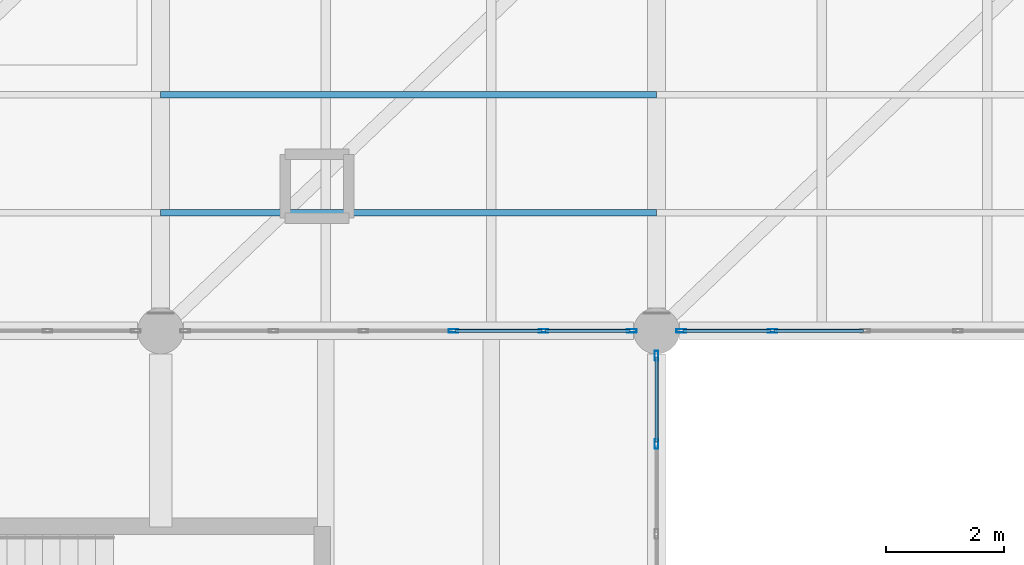
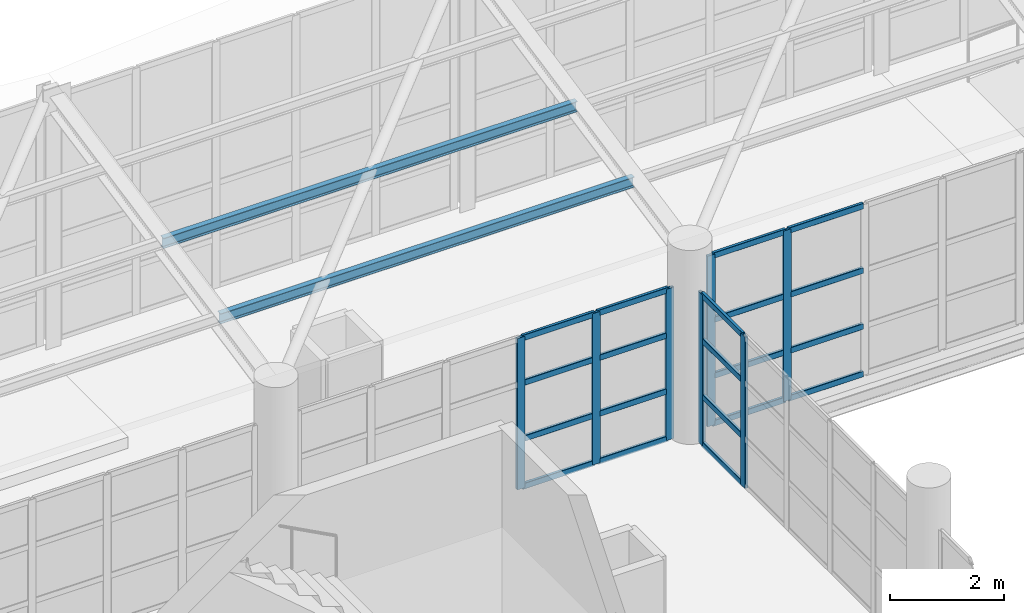
# One storey, part 99 of 177: 29 members, 3 elements without a shape of their own.
"""IFC4 building model written with IfcOpenShell, lengths in metres."""

from ifc_helpers import new_model, si_unit, direction, frame, origin, origin_2d, place, context, subcontext, project, spatial, hollow_rectangle, i_section, extrude, material, layer, layer_set, material_profile, profile_set, type_object, element, aggregate, save


model = new_model("IFC4")

# Units and contexts
model_context = context("Model", 3, precision=1e-05, world=origin(), true_north=direction((0.0, 1.0)))
body_context = subcontext(model_context, "Body", "Model", "MODEL_VIEW")
ifc_project = project(units=[si_unit("LENGTHUNIT", "METRE"), si_unit("AREAUNIT", "SQUARE_METRE"), si_unit("VOLUMEUNIT", "CUBIC_METRE"), si_unit("PLANEANGLEUNIT", "RADIAN"), si_unit("MASSUNIT", "GRAM", prefix="KILO"), si_unit("THERMODYNAMICTEMPERATUREUNIT", "KELVIN"), si_unit("POWERUNIT", "WATT")], contexts=[model_context])

# Site, building, storey
site_placement = place(None, origin())
site = spatial("IfcSite", under=ifc_project, at=site_placement, CompositionType="ELEMENT")
building_placement = place(site_placement, origin())
building = spatial("IfcBuilding", under=site, at=building_placement, Name="Mavoryth Pier Ferry Terminal", CompositionType="ELEMENT")
storey_placement = place(building_placement, frame((0.0, 0.0, 5.43994140625)))
storey = spatial("IfcBuildingStorey", under=building, at=storey_placement, Name="L01", CompositionType="ELEMENT", Elevation=5.43994140625)

# Curtain wall, members
ifc_material_1 = material(Name="Anodised Aluminium and Solar-Control Low-E Glass", Category="aluminium")
ifc_layer_1 = layer(ifc_material_1, 0.159912109375, Name="Anodised Aluminium and Solar-Control Low-E Glass", Category="aluminium")
ifc_layer_set_1 = layer_set([ifc_layer_1], Name="Anodised Aluminium and Solar-Control Low-E Glass - CW-Arrivals-Mod1400")
curtain_wall_type_1 = type_object("IfcCurtainWallType", Name="CW-Arrivals-Mod1400", PredefinedType="USERDEFINED", material=ifc_layer_set_1)
curtain_wall_1_placement = place(storey_placement, origin())
curtain_wall_1 = element("IfcCurtainWall", 1, at=curtain_wall_1_placement, inside=storey, type_object=curtain_wall_type_1, Name="Curtain Wall CW-0122-061", ObjectType="UNITISED CURTAIN WALL", PredefinedType="USERDEFINED")
ifc_material_2 = material(Name="Anodised Aluminium EN AW-6063", Category="aluminium")
ifc_material_profile_1 = material_profile(ifc_material_2, hollow_rectangle(XDim=0.06005859375, YDim=0.1650390625, WallThickness=0.00390625, InnerFilletRadius=0.00390625, OuterFilletRadius=0.008056640625, at=origin_2d()), Name="AL-MULL 165x60x4", Category="aluminium")
ifc_profile_set_1 = profile_set([ifc_material_profile_1], Name="Anodised Aluminium EN AW-6063 - AL-MULL 165x60x4")
member_type_1 = type_object("IfcMemberType", Name="Mullion-Alum-165x60", PredefinedType="MULLION", material=ifc_profile_set_1)
member_1_placement = place(storey_placement, frame((91.97998046875, 106.0, 0.0), z_axis=(0.0, 0.0, 1.0), x_axis=(0.0, -1.0, 0.0)))
member_1 = element("IfcMember", 2, at=member_1_placement, type_object=member_type_1, Name="CW04 mullion 1", PredefinedType="MULLION", context=body_context, shape_type="SweptSolid", body=[
    extrude(hollow_rectangle(XDim=0.06005859375, YDim=0.1650390625, WallThickness=0.00390625, InnerFilletRadius=0.00390625, OuterFilletRadius=0.008056640625, at=origin_2d()), origin(), (0.0, 0.0, 1.0), 3.2451171875),
])
member_2_placement = place(storey_placement, frame((90.486083984375, 106.0, 0.0), z_axis=(0.0, 0.0, 1.0), x_axis=(0.0, -1.0, 0.0)))
member_2 = element("IfcMember", 3, at=member_2_placement, type_object=member_type_1, Name="CW04 mullion 2", PredefinedType="MULLION", context=body_context, shape_type="SweptSolid", body=[
    extrude(hollow_rectangle(XDim=0.06005859375, YDim=0.1650390625, WallThickness=0.00390625, InnerFilletRadius=0.00390625, OuterFilletRadius=0.008056640625, at=origin_2d()), origin(), (0.0, 0.0, 1.0), 3.2451171875),
])
member_3_placement = place(storey_placement, frame((88.9619140625, 106.0, 0.0), z_axis=(0.0, 0.0, 1.0), x_axis=(0.0, -1.0, 0.0)))
member_3 = element("IfcMember", 4, at=member_3_placement, type_object=member_type_1, Name="CW04 mullion 3", PredefinedType="MULLION", context=body_context, shape_type="SweptSolid", body=[
    extrude(hollow_rectangle(XDim=0.06005859375, YDim=0.1650390625, WallThickness=0.00390625, InnerFilletRadius=0.00390625, OuterFilletRadius=0.008056640625, at=origin_2d()), origin(), (0.0, 0.0, 1.0), 3.2451171875),
])

curtain_wall_2_placement = place(storey_placement, origin())
curtain_wall_2 = element("IfcCurtainWall", 5, at=curtain_wall_2_placement, inside=storey, type_object=curtain_wall_type_1, Name="Curtain Wall CW-0122-070", ObjectType="UNITISED CURTAIN WALL", PredefinedType="USERDEFINED")
member_4_placement = place(storey_placement, frame((92.39990234375, 104.0859375, 0.0), z_axis=(0.0, 0.0, 1.0), x_axis=(-1.0, 0.0, 0.0)))
member_4 = element("IfcMember", 6, at=member_4_placement, type_object=member_type_1, Name="CW04 mullion 5", PredefinedType="MULLION", context=body_context, shape_type="SweptSolid", body=[
    extrude(hollow_rectangle(XDim=0.06005859375, YDim=0.1650390625, WallThickness=0.00390625, InnerFilletRadius=0.00390625, OuterFilletRadius=0.008056640625, at=origin_2d()), origin(), (0.0, 0.0, 1.0), 3.2451171875),
])
member_5_placement = place(storey_placement, frame((92.39990234375, 105.580078125, 0.0), z_axis=(0.0, 0.0, 1.0), x_axis=(-1.0, 0.0, 0.0)))
member_5 = element("IfcMember", 7, at=member_5_placement, type_object=member_type_1, Name="CW04 mullion 6", PredefinedType="MULLION", context=body_context, shape_type="SweptSolid", body=[
    extrude(hollow_rectangle(XDim=0.06005859375, YDim=0.1650390625, WallThickness=0.00390625, InnerFilletRadius=0.00390625, OuterFilletRadius=0.008056640625, at=origin_2d()), origin(), (0.0, 0.0, 1.0), 3.2451171875),
])

ifc_layer_2 = layer(ifc_material_1, 0.139892578125, Name="Anodised Aluminium and Solar-Control Low-E Glass", Category="aluminium")
ifc_layer_set_2 = layer_set([ifc_layer_2], Name="Anodised Aluminium and Solar-Control Low-E Glass - CW-Gallery-Mod1600")
curtain_wall_type_2 = type_object("IfcCurtainWallType", Name="CW-Gallery-Mod1600", PredefinedType="USERDEFINED", material=ifc_layer_set_2)
curtain_wall_3_placement = place(storey_placement, origin())
curtain_wall_3 = element("IfcCurtainWall", 8, at=curtain_wall_3_placement, inside=storey, type_object=curtain_wall_type_2, Name="Curtain Wall CW-0122-083", ObjectType="UNITISED CURTAIN WALL", PredefinedType="USERDEFINED")
member_6_placement = place(storey_placement, frame((92.820068359375, 106.0, 0.0), z_axis=(0.0, 0.0, 1.0), x_axis=(0.0, 1.0, 0.0)))
member_6 = element("IfcMember", 9, at=member_6_placement, type_object=member_type_1, Name="CW05 mullion 1", PredefinedType="MULLION", context=body_context, shape_type="SweptSolid", body=[
    extrude(hollow_rectangle(XDim=0.06005859375, YDim=0.1650390625, WallThickness=0.00390625, InnerFilletRadius=0.00390625, OuterFilletRadius=0.008056640625, at=origin_2d()), origin(), (0.0, 0.0, 1.0), 3.66015625),
])
member_7_placement = place(storey_placement, frame((94.362060546875, 106.0, 0.0), z_axis=(0.0, 0.0, 1.0), x_axis=(0.0, 1.0, 0.0)))
member_7 = element("IfcMember", 10, at=member_7_placement, type_object=member_type_1, Name="CW05 mullion 2", PredefinedType="MULLION", context=body_context, shape_type="SweptSolid", body=[
    extrude(hollow_rectangle(XDim=0.06005859375, YDim=0.1650390625, WallThickness=0.00390625, InnerFilletRadius=0.00390625, OuterFilletRadius=0.008056640625, at=origin_2d()), origin(), (0.0, 0.0, 1.0), 3.66015625),
])

# Members
ifc_material_3 = material(Name="Steel S355J2", Category="steel")
ifc_material_profile_2 = material_profile(ifc_material_3, i_section(OverallWidth=0.110107421875, OverallDepth=0.219970703125, WebThickness=0.005859375, FlangeThickness=0.00927734375, FilletRadius=0.011962890625, at=origin_2d()), Name="IPE 220", Category="steel")
ifc_profile_set_2 = profile_set([ifc_material_profile_2], Name="Steel S355J2 - IPE 220")
member_type_2 = type_object("IfcMemberType", Name="Purlin-Roof-IPE220", PredefinedType="PURLIN", material=ifc_profile_set_2)
for number, where, z_axis, x_axis, name in (
    (11, (84.0, 108.0, 4.17822265625), (1.0, 0.0, 0.0), (0.0, 1.0, 0.0), "Steel Member MB-L01-0266"),
    (12, (84.0, 110.0, 4.5849609375), (1.0, 0.0, 0.0), (0.0, 1.0, 0.0), "Steel Member MB-L01-0267"),
):
    element("IfcMember", number, at=place(storey_placement, frame(where, z_axis=z_axis, x_axis=x_axis)), inside=storey, type_object=member_type_2, Name=name, PredefinedType="PURLIN", context=body_context, shape_type="SweptSolid", body=[
        extrude(i_section(OverallWidth=0.110107421875, OverallDepth=0.219970703125, WebThickness=0.005859375, FlangeThickness=0.00927734375, FilletRadius=0.011962890625, at=origin_2d()), origin(), (0.0, 0.0, 1.0), 8.39990234375),
    ])

# Member
ifc_material_profile_3 = material_profile(ifc_material_2, hollow_rectangle(XDim=0.06005859375, YDim=0.125, WallThickness=0.00390625, InnerFilletRadius=0.00390625, OuterFilletRadius=0.008056640625, at=origin_2d()), Name="AL-TRAN 125x60x4", Category="aluminium")
ifc_profile_set_3 = profile_set([ifc_material_profile_3], Name="Anodised Aluminium EN AW-6063 - AL-TRAN 125x60x4")
member_type_3 = type_object("IfcMemberType", Name="Transom-Alum-125x60", PredefinedType="USERDEFINED", material=ifc_profile_set_3)
member_8_placement = place(storey_placement, frame((91.949951171875, 106.0, 0.030029296875), z_axis=(-1.0, 0.0, 0.0), x_axis=(0.0, -1.0, 0.0)))
member_8 = element("IfcMember", 13, at=member_8_placement, type_object=member_type_3, Name="CW04 transom 1.1", ObjectType="TRANSOM", PredefinedType="USERDEFINED", context=body_context, shape_type="SweptSolid", body=[
    extrude(hollow_rectangle(XDim=0.06005859375, YDim=0.125, WallThickness=0.00390625, InnerFilletRadius=0.00390625, OuterFilletRadius=0.008056640625, at=origin_2d()), origin(), (0.0, 0.0, 1.0), 1.433837890625),
])

member_9_placement = place(storey_placement, frame((91.949951171875, 106.0, 1.050048828125), z_axis=(-1.0, 0.0, 0.0), x_axis=(0.0, -1.0, 0.0)))
member_9 = element("IfcMember", 14, at=member_9_placement, type_object=member_type_3, Name="CW04 transom 1.2", ObjectType="TRANSOM", PredefinedType="USERDEFINED", context=body_context, shape_type="SweptSolid", body=[
    extrude(hollow_rectangle(XDim=0.06005859375, YDim=0.125, WallThickness=0.00390625, InnerFilletRadius=0.00390625, OuterFilletRadius=0.008056640625, at=origin_2d()), origin(), (0.0, 0.0, 1.0), 1.433837890625),
])

member_10_placement = place(storey_placement, frame((91.949951171875, 106.0, 2.25), z_axis=(-1.0, 0.0, 0.0), x_axis=(0.0, -1.0, 0.0)))
member_10 = element("IfcMember", 15, at=member_10_placement, type_object=member_type_3, Name="CW04 transom 1.3", ObjectType="TRANSOM", PredefinedType="USERDEFINED", context=body_context, shape_type="SweptSolid", body=[
    extrude(hollow_rectangle(XDim=0.06005859375, YDim=0.125, WallThickness=0.00390625, InnerFilletRadius=0.00390625, OuterFilletRadius=0.008056640625, at=origin_2d()), origin(), (0.0, 0.0, 1.0), 1.433837890625),
])

member_11_placement = place(storey_placement, frame((91.949951171875, 106.0, 3.215087890625), z_axis=(-1.0, 0.0, 0.0), x_axis=(0.0, -1.0, 0.0)))
member_11 = element("IfcMember", 16, at=member_11_placement, type_object=member_type_3, Name="CW04 transom 1.4", ObjectType="TRANSOM", PredefinedType="USERDEFINED", context=body_context, shape_type="SweptSolid", body=[
    extrude(hollow_rectangle(XDim=0.06005859375, YDim=0.125, WallThickness=0.00390625, InnerFilletRadius=0.00390625, OuterFilletRadius=0.008056640625, at=origin_2d()), origin(), (0.0, 0.0, 1.0), 1.433837890625),
])

member_12_placement = place(storey_placement, frame((90.4560546875, 106.0, 0.030029296875), z_axis=(-1.0, 0.0, 0.0), x_axis=(0.0, -1.0, 0.0)))
member_12 = element("IfcMember", 17, at=member_12_placement, type_object=member_type_3, Name="CW04 transom 2.1", ObjectType="TRANSOM", PredefinedType="USERDEFINED", context=body_context, shape_type="SweptSolid", body=[
    extrude(hollow_rectangle(XDim=0.06005859375, YDim=0.125, WallThickness=0.00390625, InnerFilletRadius=0.00390625, OuterFilletRadius=0.008056640625, at=origin_2d()), origin(), (0.0, 0.0, 1.0), 1.464111328125),
])

member_13_placement = place(storey_placement, frame((90.4560546875, 106.0, 1.050048828125), z_axis=(-1.0, 0.0, 0.0), x_axis=(0.0, -1.0, 0.0)))
member_13 = element("IfcMember", 18, at=member_13_placement, type_object=member_type_3, Name="CW04 transom 2.2", ObjectType="TRANSOM", PredefinedType="USERDEFINED", context=body_context, shape_type="SweptSolid", body=[
    extrude(hollow_rectangle(XDim=0.06005859375, YDim=0.125, WallThickness=0.00390625, InnerFilletRadius=0.00390625, OuterFilletRadius=0.008056640625, at=origin_2d()), origin(), (0.0, 0.0, 1.0), 1.464111328125),
])

member_14_placement = place(storey_placement, frame((90.4560546875, 106.0, 2.25), z_axis=(-1.0, 0.0, 0.0), x_axis=(0.0, -1.0, 0.0)))
member_14 = element("IfcMember", 19, at=member_14_placement, type_object=member_type_3, Name="CW04 transom 2.3", ObjectType="TRANSOM", PredefinedType="USERDEFINED", context=body_context, shape_type="SweptSolid", body=[
    extrude(hollow_rectangle(XDim=0.06005859375, YDim=0.125, WallThickness=0.00390625, InnerFilletRadius=0.00390625, OuterFilletRadius=0.008056640625, at=origin_2d()), origin(), (0.0, 0.0, 1.0), 1.464111328125),
])

member_15_placement = place(storey_placement, frame((90.4560546875, 106.0, 3.215087890625), z_axis=(-1.0, 0.0, 0.0), x_axis=(0.0, -1.0, 0.0)))
member_15 = element("IfcMember", 20, at=member_15_placement, type_object=member_type_3, Name="CW04 transom 2.4", ObjectType="TRANSOM", PredefinedType="USERDEFINED", context=body_context, shape_type="SweptSolid", body=[
    extrude(hollow_rectangle(XDim=0.06005859375, YDim=0.125, WallThickness=0.00390625, InnerFilletRadius=0.00390625, OuterFilletRadius=0.008056640625, at=origin_2d()), origin(), (0.0, 0.0, 1.0), 1.464111328125),
])

aggregate(curtain_wall_1, [member_1, member_2, member_3, member_8, member_9, member_10, member_11, member_12, member_13, member_14, member_15])

member_16_placement = place(storey_placement, frame((92.39990234375, 104.115966796875, 0.030029296875), z_axis=(0.0, 1.0, 0.0), x_axis=(-1.0, 0.0, 0.0)))
member_16 = element("IfcMember", 21, at=member_16_placement, type_object=member_type_3, Name="CW04 transom 5.1", ObjectType="TRANSOM", PredefinedType="USERDEFINED", context=body_context, shape_type="SweptSolid", body=[
    extrude(hollow_rectangle(XDim=0.06005859375, YDim=0.125, WallThickness=0.00390625, InnerFilletRadius=0.00390625, OuterFilletRadius=0.008056640625, at=origin_2d()), origin(), (0.0, 0.0, 1.0), 1.43408203125),
])

member_17_placement = place(storey_placement, frame((92.39990234375, 104.115966796875, 1.050048828125), z_axis=(0.0, 1.0, 0.0), x_axis=(-1.0, 0.0, 0.0)))
member_17 = element("IfcMember", 22, at=member_17_placement, type_object=member_type_3, Name="CW04 transom 5.2", ObjectType="TRANSOM", PredefinedType="USERDEFINED", context=body_context, shape_type="SweptSolid", body=[
    extrude(hollow_rectangle(XDim=0.06005859375, YDim=0.125, WallThickness=0.00390625, InnerFilletRadius=0.00390625, OuterFilletRadius=0.008056640625, at=origin_2d()), origin(), (0.0, 0.0, 1.0), 1.43408203125),
])

member_18_placement = place(storey_placement, frame((92.39990234375, 104.115966796875, 2.25), z_axis=(0.0, 1.0, 0.0), x_axis=(-1.0, 0.0, 0.0)))
member_18 = element("IfcMember", 23, at=member_18_placement, type_object=member_type_3, Name="CW04 transom 5.3", ObjectType="TRANSOM", PredefinedType="USERDEFINED", context=body_context, shape_type="SweptSolid", body=[
    extrude(hollow_rectangle(XDim=0.06005859375, YDim=0.125, WallThickness=0.00390625, InnerFilletRadius=0.00390625, OuterFilletRadius=0.008056640625, at=origin_2d()), origin(), (0.0, 0.0, 1.0), 1.43408203125),
])

member_19_placement = place(storey_placement, frame((92.39990234375, 104.115966796875, 3.215087890625), z_axis=(0.0, 1.0, 0.0), x_axis=(-1.0, 0.0, 0.0)))
member_19 = element("IfcMember", 24, at=member_19_placement, type_object=member_type_3, Name="CW04 transom 5.4", ObjectType="TRANSOM", PredefinedType="USERDEFINED", context=body_context, shape_type="SweptSolid", body=[
    extrude(hollow_rectangle(XDim=0.06005859375, YDim=0.125, WallThickness=0.00390625, InnerFilletRadius=0.00390625, OuterFilletRadius=0.008056640625, at=origin_2d()), origin(), (0.0, 0.0, 1.0), 1.43408203125),
])

aggregate(curtain_wall_2, [member_4, member_5, member_16, member_17, member_18, member_19])

member_20_placement = place(storey_placement, frame((92.85009765625, 106.0, 0.030029296875), z_axis=(1.0, 0.0, 0.0), x_axis=(0.0, 1.0, 0.0)))
member_20 = element("IfcMember", 25, at=member_20_placement, type_object=member_type_3, Name="CW05 transom 1.1", ObjectType="TRANSOM", PredefinedType="USERDEFINED", context=body_context, shape_type="SweptSolid", body=[
    extrude(hollow_rectangle(XDim=0.06005859375, YDim=0.125, WallThickness=0.00390625, InnerFilletRadius=0.00390625, OuterFilletRadius=0.008056640625, at=origin_2d()), origin(), (0.0, 0.0, 1.0), 1.48193359375),
])

member_21_placement = place(storey_placement, frame((92.85009765625, 106.0, 1.050048828125), z_axis=(1.0, 0.0, 0.0), x_axis=(0.0, 1.0, 0.0)))
member_21 = element("IfcMember", 26, at=member_21_placement, type_object=member_type_3, Name="CW05 transom 1.2", ObjectType="TRANSOM", PredefinedType="USERDEFINED", context=body_context, shape_type="SweptSolid", body=[
    extrude(hollow_rectangle(XDim=0.06005859375, YDim=0.125, WallThickness=0.00390625, InnerFilletRadius=0.00390625, OuterFilletRadius=0.008056640625, at=origin_2d()), origin(), (0.0, 0.0, 1.0), 1.48193359375),
])

member_22_placement = place(storey_placement, frame((92.85009765625, 106.0, 2.25), z_axis=(1.0, 0.0, 0.0), x_axis=(0.0, 1.0, 0.0)))
member_22 = element("IfcMember", 27, at=member_22_placement, type_object=member_type_3, Name="CW05 transom 1.3", ObjectType="TRANSOM", PredefinedType="USERDEFINED", context=body_context, shape_type="SweptSolid", body=[
    extrude(hollow_rectangle(XDim=0.06005859375, YDim=0.125, WallThickness=0.00390625, InnerFilletRadius=0.00390625, OuterFilletRadius=0.008056640625, at=origin_2d()), origin(), (0.0, 0.0, 1.0), 1.48193359375),
])

member_23_placement = place(storey_placement, frame((92.85009765625, 106.0, 3.630126953125), z_axis=(1.0, 0.0, 0.0), x_axis=(0.0, 1.0, 0.0)))
member_23 = element("IfcMember", 28, at=member_23_placement, type_object=member_type_3, Name="CW05 transom 1.4", ObjectType="TRANSOM", PredefinedType="USERDEFINED", context=body_context, shape_type="SweptSolid", body=[
    extrude(hollow_rectangle(XDim=0.06005859375, YDim=0.125, WallThickness=0.00390625, InnerFilletRadius=0.00390625, OuterFilletRadius=0.008056640625, at=origin_2d()), origin(), (0.0, 0.0, 1.0), 1.48193359375),
])

member_24_placement = place(storey_placement, frame((94.39208984375, 106.0, 0.030029296875), z_axis=(1.0, 0.0, 0.0), x_axis=(0.0, 1.0, 0.0)))
member_24 = element("IfcMember", 29, at=member_24_placement, type_object=member_type_3, Name="CW05 transom 2.1", ObjectType="TRANSOM", PredefinedType="USERDEFINED", context=body_context, shape_type="SweptSolid", body=[
    extrude(hollow_rectangle(XDim=0.06005859375, YDim=0.125, WallThickness=0.00390625, InnerFilletRadius=0.00390625, OuterFilletRadius=0.008056640625, at=origin_2d()), origin(), (0.0, 0.0, 1.0), 1.511962890625),
])

member_25_placement = place(storey_placement, frame((94.39208984375, 106.0, 1.050048828125), z_axis=(1.0, 0.0, 0.0), x_axis=(0.0, 1.0, 0.0)))
member_25 = element("IfcMember", 30, at=member_25_placement, type_object=member_type_3, Name="CW05 transom 2.2", ObjectType="TRANSOM", PredefinedType="USERDEFINED", context=body_context, shape_type="SweptSolid", body=[
    extrude(hollow_rectangle(XDim=0.06005859375, YDim=0.125, WallThickness=0.00390625, InnerFilletRadius=0.00390625, OuterFilletRadius=0.008056640625, at=origin_2d()), origin(), (0.0, 0.0, 1.0), 1.511962890625),
])

member_26_placement = place(storey_placement, frame((94.39208984375, 106.0, 2.25), z_axis=(1.0, 0.0, 0.0), x_axis=(0.0, 1.0, 0.0)))
member_26 = element("IfcMember", 31, at=member_26_placement, type_object=member_type_3, Name="CW05 transom 2.3", ObjectType="TRANSOM", PredefinedType="USERDEFINED", context=body_context, shape_type="SweptSolid", body=[
    extrude(hollow_rectangle(XDim=0.06005859375, YDim=0.125, WallThickness=0.00390625, InnerFilletRadius=0.00390625, OuterFilletRadius=0.008056640625, at=origin_2d()), origin(), (0.0, 0.0, 1.0), 1.511962890625),
])

member_27_placement = place(storey_placement, frame((94.39208984375, 106.0, 3.630126953125), z_axis=(1.0, 0.0, 0.0), x_axis=(0.0, 1.0, 0.0)))
member_27 = element("IfcMember", 32, at=member_27_placement, type_object=member_type_3, Name="CW05 transom 2.4", ObjectType="TRANSOM", PredefinedType="USERDEFINED", context=body_context, shape_type="SweptSolid", body=[
    extrude(hollow_rectangle(XDim=0.06005859375, YDim=0.125, WallThickness=0.00390625, InnerFilletRadius=0.00390625, OuterFilletRadius=0.008056640625, at=origin_2d()), origin(), (0.0, 0.0, 1.0), 1.511962890625),
])

aggregate(curtain_wall_3, [member_6, member_7, member_20, member_21, member_22, member_23, member_24, member_25, member_26, member_27])

save(model, "model.ifc")
